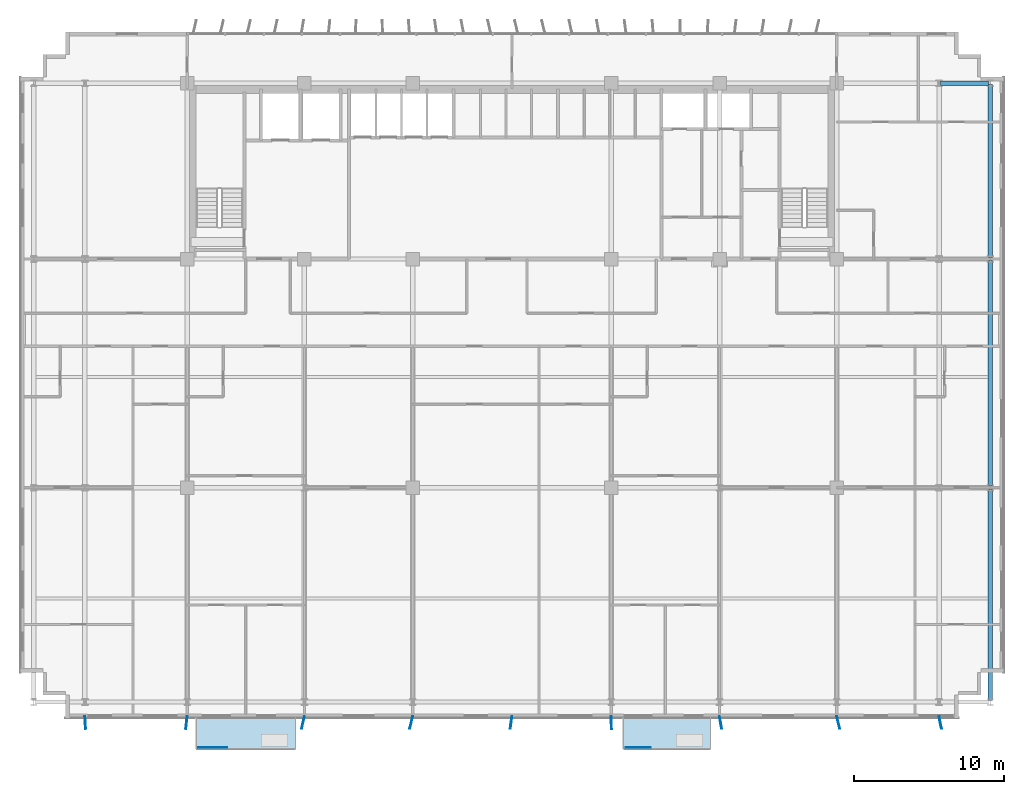
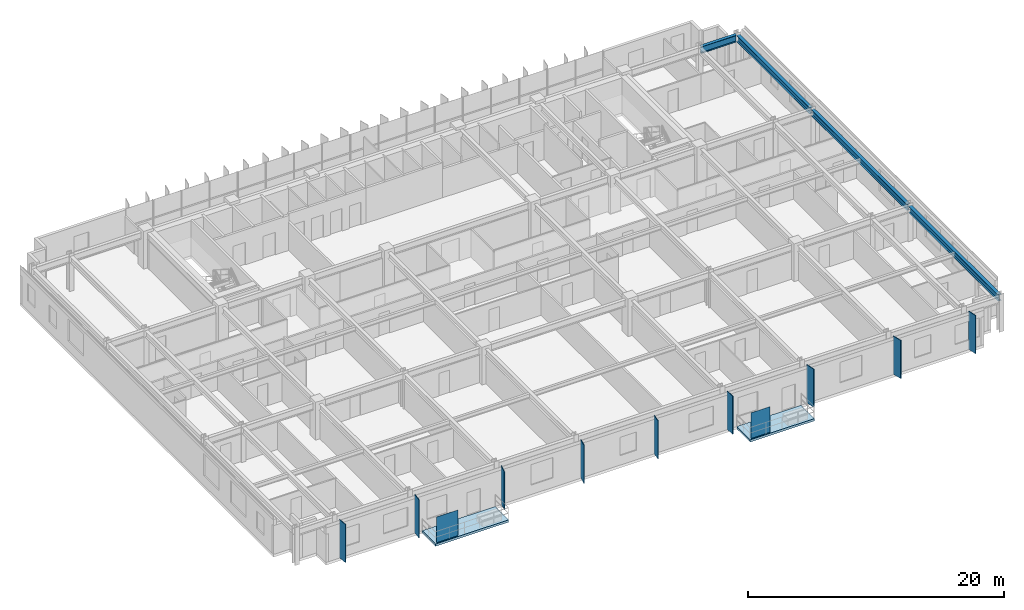
# One storey, part 13 of 22: 11 plates, 4 beams, 2 slabs.
"""IFC4 building model written with IfcOpenShell, lengths in metres."""

from ifc_helpers import new_model, si_unit, direction, frame, origin, origin_2d, place, context, subcontext, project, spatial, polyline, rectangle, i_section, outline, extrude, source, transform, mapped, material, layer, layer_set, material_profile, profile_set, type_object, element, save


model = new_model("IFC4")

# Units and contexts
model_context = context("Model", 3, precision=1e-05, world=origin(), true_north=direction((0.0, 1.0)))
body_context = subcontext(model_context, "Body", "Model", "MODEL_VIEW")
ifc_project = project(units=[si_unit("LENGTHUNIT", "METRE"), si_unit("AREAUNIT", "SQUARE_METRE"), si_unit("VOLUMEUNIT", "CUBIC_METRE"), si_unit("PLANEANGLEUNIT", "RADIAN"), si_unit("MASSUNIT", "GRAM", prefix="KILO")], contexts=[model_context])

# Site, building, storey
site_placement = place(None, origin())
site = spatial("IfcSite", under=ifc_project, at=site_placement, CompositionType="ELEMENT")
building_placement = place(site_placement, origin())
building = spatial("IfcBuilding", under=site, at=building_placement, Name="Trelvane Seafront Commons", CompositionType="ELEMENT")
storey_placement = place(building_placement, frame((0.0, 0.0, 45.10009765625)))
storey = spatial("IfcBuildingStorey", under=building, at=storey_placement, Name="L11", CompositionType="ELEMENT", Elevation=45.10009765625)

# Beams
ifc_material_1 = material(Name="Steel SM355 (S355)", Category="steel")
ifc_material_profile_1 = material_profile(ifc_material_1, i_section(OverallWidth=0.280029296875, OverallDepth=0.64990234375, WebThickness=0.012939453125, FlangeThickness=0.02197265625, at=origin_2d()), Name="H-650x280x13x22")
ifc_profile_set_1 = profile_set([ifc_material_profile_1], Name="Steel SM355 (S355)")
beam_type_1 = type_object("IfcBeamType", Name="STR-BM-H650", PredefinedType="BEAM", material=ifc_profile_set_1)
shared_shape_1 = source(origin(), body_context, "Body", "SweptSolid", [
    extrude(i_section(OverallWidth=0.280029296875, OverallDepth=0.64990234375, WebThickness=0.012939453125, FlangeThickness=0.02197265625, at=origin_2d()), origin(), (0.0, 0.0, 1.0), 3.18994140625),
])
beam_1_placement = place(storey_placement, frame((65.705078125, 45.10009765625, 3.014892578125), z_axis=(1.0, 0.0, 0.0), x_axis=(0.0, 1.0, 0.0)))
element("IfcBeam", 1, at=beam_1_placement, inside=storey, type_object=beam_type_1, Name="L11 Primary Girder G-36", PredefinedType="BEAM", context=body_context, shape_type="MappedRepresentation", body=[
    mapped(shared_shape_1, transform((0.0, 0.0, 0.0), x_axis=(1.0, 0.0, 0.0), y_axis=(0.0, 1.0, 0.0), z_axis=(0.0, 0.0, 1.0), scale=1.0)),
])
ifc_material_profile_2 = material_profile(ifc_material_1, i_section(OverallWidth=0.300048828125, OverallDepth=0.587890625, WebThickness=0.011962890625, FlangeThickness=0.02001953125, at=origin_2d()), Name="H-588x300x12x20")
ifc_profile_set_2 = profile_set([ifc_material_profile_2], Name="Steel SM355 (S355)")
beam_type_2 = type_object("IfcBeamType", Name="STR-BM-H588", PredefinedType="BEAM", material=ifc_profile_set_2)
shared_shape_2 = source(origin(), body_context, "Body", "SweptSolid", [
    extrude(i_section(OverallWidth=0.300048828125, OverallDepth=0.587890625, WebThickness=0.011962890625, FlangeThickness=0.02001953125, at=origin_2d()), origin(), (0.0, 0.0, 1.0), 14.0400390625),
])
beam_2_placement = place(storey_placement, frame((69.0, 4.054931640625, 3.0458984375), z_axis=(0.0, 1.0, 0.0), x_axis=(-1.0, 0.0, 0.0)))
element("IfcBeam", 2, at=beam_2_placement, inside=storey, type_object=beam_type_2, Name="L11 Primary Girder G-64", PredefinedType="BEAM", context=body_context, shape_type="MappedRepresentation", body=[
    mapped(shared_shape_2, transform((0.0, 0.0, 0.0), x_axis=(1.0, 0.0, 0.0), y_axis=(0.0, 1.0, 0.0), z_axis=(0.0, 0.0, 1.0), scale=1.0)),
])
shared_shape_3 = source(origin(), body_context, "Body", "SweptSolid", [
    extrude(i_section(OverallWidth=0.300048828125, OverallDepth=0.587890625, WebThickness=0.011962890625, FlangeThickness=0.02001953125, at=origin_2d()), origin(), (0.0, 0.0, 1.0), 14.989990234375),
])
beam_3_placement = place(storey_placement, frame((69.0, 18.304931640625, 3.0458984375), z_axis=(0.0, 1.0, 0.0), x_axis=(-1.0, 0.0, 0.0)))
element("IfcBeam", 3, at=beam_3_placement, inside=storey, type_object=beam_type_2, Name="L11 Primary Girder G-65", PredefinedType="BEAM", context=body_context, shape_type="MappedRepresentation", body=[
    mapped(shared_shape_3, transform((0.0, 0.0, 0.0), x_axis=(1.0, 0.0, 0.0), y_axis=(0.0, 1.0, 0.0), z_axis=(0.0, 0.0, 1.0), scale=1.0)),
])
shared_shape_4 = source(origin(), body_context, "Body", "SweptSolid", [
    extrude(i_section(OverallWidth=0.300048828125, OverallDepth=0.587890625, WebThickness=0.011962890625, FlangeThickness=0.02001953125, at=origin_2d()), origin(), (0.0, 0.0, 1.0), 11.490234375),
])
beam_4_placement = place(storey_placement, frame((69.0, 33.5048828125, 3.0458984375), z_axis=(0.0, 1.0, 0.0), x_axis=(-1.0, 0.0, 0.0)))
element("IfcBeam", 4, at=beam_4_placement, inside=storey, type_object=beam_type_2, Name="L11 Primary Girder G-66", PredefinedType="BEAM", context=body_context, shape_type="MappedRepresentation", body=[
    mapped(shared_shape_4, transform((0.0, 0.0, 0.0), x_axis=(1.0, 0.0, 0.0), y_axis=(0.0, 1.0, 0.0), z_axis=(0.0, 0.0, 1.0), scale=1.0)),
])

# Slabs
ifc_material_2 = material(Name="Concrete C40/50", Category="concrete")
ifc_layer_1 = layer(ifc_material_2, 0.219970703125, Name="ARCH-BALC-220")
ifc_layer_set_1 = layer_set([ifc_layer_1], Name="Concrete C40/50")
slab_type = type_object("IfcSlabType", Name="ARCH-BALC-220", PredefinedType="FLOOR", material=ifc_layer_set_1)
slab_1_placement = place(storey_placement, frame((0.0, 0.0, -0.22021484375)))
element("IfcSlab", 5, at=slab_1_placement, inside=storey, type_object=slab_type, Name="L11 Cantilevered Tree Balcony Loggia 1", PredefinedType="FLOOR", context=body_context, shape_type="SweptSolid", body=[
    extrude(outline(polyline([(16.199951171875, 0.800048828125), (22.800048828125, 0.800048828125), (22.800048828125, 2.89990234375), (16.199951171875, 2.89990234375), (16.199951171875, 0.800048828125)])), origin(), (0.0, 0.0, 1.0), 0.22021484375),
])
slab_2_placement = place(storey_placement, frame((0.0, 0.0, -0.22021484375)))
element("IfcSlab", 6, at=slab_2_placement, inside=storey, type_object=slab_type, Name="L11 Cantilevered Tree Balcony Loggia 2", PredefinedType="FLOOR", context=body_context, shape_type="SweptSolid", body=[
    extrude(outline(polyline([(44.60009765625, 0.800048828125), (50.39990234375, 0.800048828125), (50.39990234375, 2.89990234375), (44.60009765625, 2.89990234375), (44.60009765625, 0.800048828125)])), origin(), (0.0, 0.0, 1.0), 0.22021484375),
])

# Plates
ifc_material_3 = material(Name="Perforated anodised aluminium screen", Category="aluminium")
ifc_layer_2 = layer(ifc_material_3, 0.01611328125, Name="ARCH-PLATE-SCREEN")
ifc_layer_set_2 = layer_set([ifc_layer_2], Name="Perforated anodised aluminium screen")
plate_type_1 = type_object("IfcPlateType", Name="ARCH-PLATE-SCREEN", PredefinedType="USERDEFINED", material=ifc_layer_set_2)
shared_shape_5 = source(origin(), body_context, "Body", "SweptSolid", [
    extrude(rectangle(XDim=1.9140625, YDim=0.01611328125, at=origin_2d()), origin(), (0.0, 0.0, 1.0), 2.449951171875),
])
plate_1_placement = place(storey_placement, frame((17.306884765625, 0.919921875, 0.0), z_axis=(0.0, 0.0, 1.0), x_axis=(1.0, 0.0, 0.0)))
element("IfcPlate", 7, at=plate_1_placement, inside=storey, type_object=plate_type_1, Name="SCR-L11-00040", ObjectType="SCREEN", PredefinedType="USERDEFINED", context=body_context, shape_type="MappedRepresentation", body=[
    mapped(shared_shape_5, transform((0.0, 0.0, 0.0), x_axis=(1.0, 0.0, 0.0), y_axis=(0.0, 1.0, 0.0), z_axis=(0.0, 0.0, 1.0), scale=1.0)),
])
shared_shape_6 = source(origin(), body_context, "Body", "SweptSolid", [
    extrude(rectangle(XDim=1.681884765625, YDim=0.01611328125, at=origin_2d()), origin(), (0.0, 0.0, 1.0), 2.449951171875),
])
plate_2_placement = place(storey_placement, frame((45.591064453125, 0.919921875, 0.0), z_axis=(0.0, 0.0, 1.0), x_axis=(1.0, 0.0, 0.0)))
element("IfcPlate", 8, at=plate_2_placement, inside=storey, type_object=plate_type_1, Name="SCR-L11-00041", ObjectType="SCREEN", PredefinedType="USERDEFINED", context=body_context, shape_type="MappedRepresentation", body=[
    mapped(shared_shape_6, transform((0.0, 0.0, 0.0), x_axis=(1.0, 0.0, 0.0), y_axis=(0.0, 1.0, 0.0), z_axis=(0.0, 0.0, 1.0), scale=1.0)),
])
ifc_material_4 = material(Name="Anodised pale-silver aluminium", Category="aluminium")
ifc_layer_3 = layer(ifc_material_4, 0.06005859375, Name="ARCH-PLATE-FIN900")
ifc_layer_set_3 = layer_set([ifc_layer_3], Name="Anodised pale-silver aluminium")
plate_type_2 = type_object("IfcPlateType", Name="ARCH-PLATE-FIN900", PredefinedType="USERDEFINED", material=ifc_layer_set_3)
shared_shape_7 = source(origin(), body_context, "Body", "SweptSolid", [
    extrude(rectangle(XDim=0.85009765625, YDim=0.06005859375, at=origin_2d()), origin(), (0.0, 0.0, 1.0), 3.639892578125),
])
for number, where, z_axis, x_axis, name in (
    (9, (8.82568359375, 2.57568359375, -0.02001953125), (0.0, 0.0, 1.0), (0.060590367694, -0.998162715865, 0.0), "FIN-S-L11-00220"),
    (10, (15.554931640625, 2.577392578125, -0.02001953125), (0.0, 0.0, 1.0), (-0.105885736186, -0.994378303702, 0.0), "FIN-S-L11-00221"),
    (11, (23.305908203125, 2.58544921875, -0.02001953125), (0.0, 0.0, 1.0), (-0.221051497515, -0.975262136785, 0.0), "FIN-S-L11-00222"),
    (12, (30.5009765625, 2.586669921875, -0.02001953125), (0.0, 0.0, 1.0), (-0.232834359776, -0.972516406498, 0.0), "FIN-S-L11-00223"),
    (13, (37.14208984375, 2.578857421875, -0.02001953125), (0.0, 0.0, 1.0), (-0.136000881699, -0.99070871611, 0.0), "FIN-S-L11-00224"),
    (14, (43.81103515625, 2.5751953125, -0.02001953125), (0.0, 0.0, 1.0), (0.026236269122, -0.999655769844, 0.0), "FIN-S-L11-00225"),
    (15, (51.07470703125, 2.58154296875, -0.02001953125), (0.0, 0.0, 1.0), (0.175643362599, -0.984453863406, 0.0), "FIN-S-L11-00226"),
    (16, (58.902587890625, 2.587646484375, -0.02001953125), (0.0, 0.0, 1.0), (0.241400267132, -0.970425633951, 0.0), "FIN-S-L11-00227"),
    (17, (65.68310546875, 2.5830078125, -0.02001953125), (0.0, 0.0, 1.0), (0.195165640343, -0.98077029565, 0.0), "FIN-S-L11-00228"),
):
    element("IfcPlate", number, at=place(storey_placement, frame(where, z_axis=z_axis, x_axis=x_axis)), inside=storey, type_object=plate_type_2, Name=name, ObjectType="FIN", PredefinedType="USERDEFINED", context=body_context, shape_type="MappedRepresentation", body=[
        mapped(shared_shape_7, transform((0.0, 0.0, 0.0), x_axis=(1.0, 0.0, 0.0), y_axis=(0.0, 1.0, 0.0), z_axis=(0.0, 0.0, 1.0), scale=1.0)),
    ])

save(model, "model.ifc")
